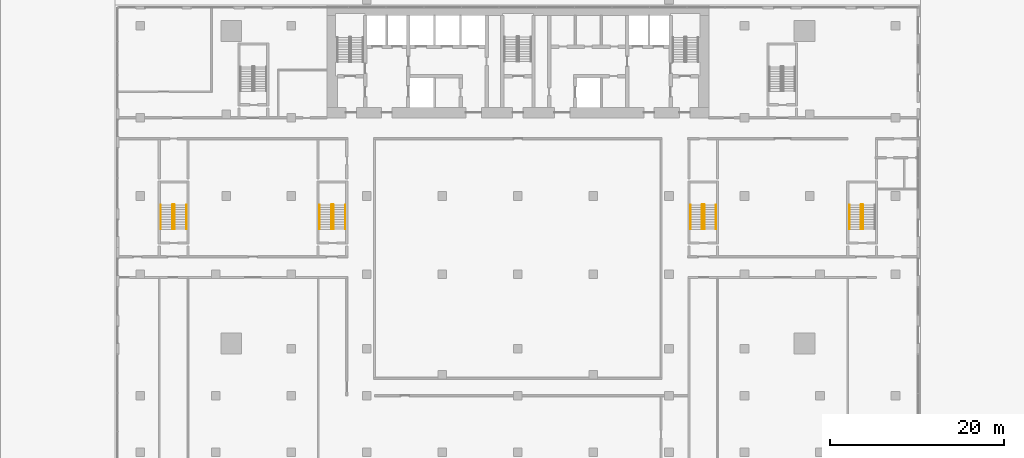
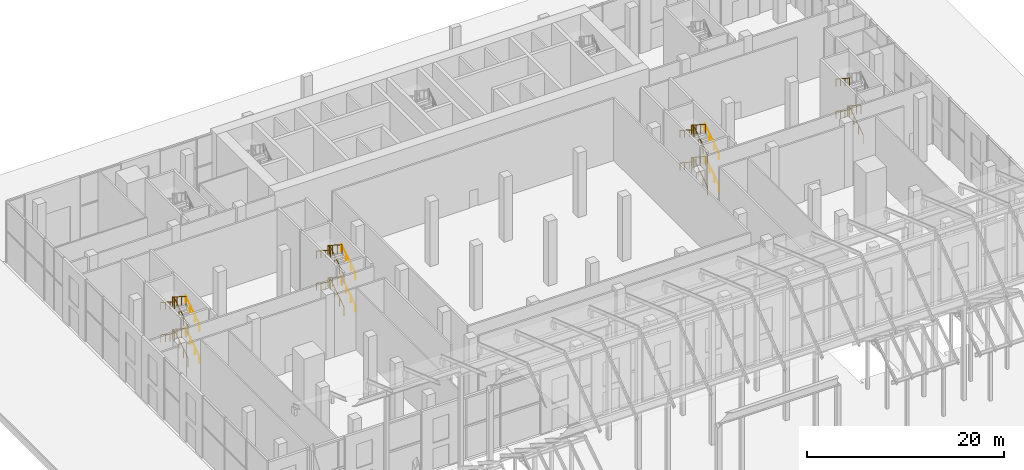
# One storey, part 29 of 31: 21 railings.
"""IFC4 building model written with IfcOpenShell, lengths in metres."""

from ifc_helpers import new_model, si_unit, direction, frame, origin, origin_2d, place, context, subcontext, project, spatial, circle, extrude, material, type_object, element, save


model = new_model("IFC4")

# Units and contexts
model_context = context("Model", 3, precision=1e-05, world=origin(), true_north=direction((0.0, 1.0)))
body_context = subcontext(model_context, "Body", "Model", "MODEL_VIEW")
ifc_project = project(units=[si_unit("LENGTHUNIT", "METRE"), si_unit("AREAUNIT", "SQUARE_METRE"), si_unit("VOLUMEUNIT", "CUBIC_METRE"), si_unit("PLANEANGLEUNIT", "RADIAN"), si_unit("MASSUNIT", "GRAM", prefix="KILO")], contexts=[model_context])

# Site, building, storey
site_placement = place(None, origin())
site = spatial("IfcSite", under=ifc_project, at=site_placement, CompositionType="ELEMENT")
building_placement = place(site_placement, origin())
building = spatial("IfcBuilding", under=site, at=building_placement, Name="Bicima Exchange Tower", CompositionType="ELEMENT")
storey_placement = place(building_placement, origin())
storey = spatial("IfcBuildingStorey", under=building, at=storey_placement, Name="L00", CompositionType="ELEMENT", Elevation=0.0)

# Railings
ifc_material = material(Name="Stainless steel", Category="steel")
railing_type_1 = type_object("IfcRailingType", Name="Stair guard 1100", PredefinedType="GUARDRAIL", material=ifc_material)
railing_1_placement = place(storey_placement, frame((-39.52490234375, -25.824951171875, 0.181884765625)))
element("IfcRailing", 1, at=railing_1_placement, inside=storey, type_object=railing_type_1, Name="L00 PS-W stair guard 1", PredefinedType="GUARDRAIL", context=body_context, shape_type="SweptSolid", body=[
    extrude(circle(Radius=0.02392578125, at=origin_2d()), frame((0.0, 0.0, 1.076171875), z_axis=(0.0, 0.838705829183, 0.544584733623), x_axis=(-1.0, 0.0, 0.0)), (0.0, 0.0, 1.0), 3.338623046875),
    extrude(circle(Radius=0.02392578125, at=origin_2d()), frame((0.0, 2.800048828125, 2.89404296875), z_axis=(-0.708833529934, 0.705375805398, 0.0), x_axis=(-0.705375805398, -0.708833529934, 0.0)), (0.0, 0.0, 1.0), 0.070556640625),
    extrude(circle(Radius=0.02392578125, at=origin_2d()), frame((-0.050048828125, 2.849853515625, 2.89404296875), z_axis=(-1.0, 0.0, 0.0), x_axis=(0.0, -1.0, 0.0)), (0.0, 0.0, 1.0), 0.150146484375),
    extrude(circle(Radius=0.02392578125, at=origin_2d()), frame((-0.2001953125, 2.849853515625, 2.89404296875), z_axis=(-0.255347949156, -0.255347949156, 0.932520696673), x_axis=(0.707106781187, -0.707106781187, 0.0)), (0.0, 0.0, 1.0), 0.195068359375),
    extrude(circle(Radius=0.02392578125, at=origin_2d()), frame((-0.25, 2.800048828125, 3.076171875), z_axis=(0.0, -0.838705829183, 0.544584733623), x_axis=(1.0, 0.0, 0.0)), (0.0, 0.0, 1.0), 3.338623046875),
    extrude(circle(Radius=0.02099609375, at=origin_2d()), origin(), (0.0, 0.0, 1.0), 1.052001953125),
    extrude(circle(Radius=0.02099609375, at=origin_2d()), frame((0.0, 0.933349609375, 0.60595703125)), (0.0, 0.0, 1.0), 1.052001953125),
    extrude(circle(Radius=0.02099609375, at=origin_2d()), frame((0.0, 1.86669921875, 1.212158203125)), (0.0, 0.0, 1.0), 1.052001953125),
    extrude(circle(Radius=0.02099609375, at=origin_2d()), frame((0.0, 2.800048828125, 1.818115234375)), (0.0, 0.0, 1.0), 1.052001953125),
    extrude(circle(Radius=0.02099609375, at=origin_2d()), frame((-0.050048828125, 2.849853515625, 1.818115234375)), (0.0, 0.0, 1.0), 1.052001953125),
    extrude(circle(Radius=0.02099609375, at=origin_2d()), frame((-0.2001953125, 2.849853515625, 1.818115234375)), (0.0, 0.0, 1.0), 1.052001953125),
    extrude(circle(Radius=0.02099609375, at=origin_2d()), frame((-0.25, 2.800048828125, 2.0)), (0.0, 0.0, 1.0), 1.052001953125),
    extrude(circle(Radius=0.02099609375, at=origin_2d()), frame((-0.25, 1.86669921875, 2.60595703125)), (0.0, 0.0, 1.0), 1.052001953125),
    extrude(circle(Radius=0.02099609375, at=origin_2d()), frame((-0.25, 0.933349609375, 3.212158203125)), (0.0, 0.0, 1.0), 1.052001953125),
    extrude(circle(Radius=0.02099609375, at=origin_2d()), frame((-0.25, 0.0, 3.818115234375)), (0.0, 0.0, 1.0), 1.052001953125),
])
railing_2_placement = place(storey_placement, frame((-39.52490234375, -25.824951171875, 4.181884765625)))
element("IfcRailing", 2, at=railing_2_placement, inside=storey, type_object=railing_type_1, Name="L00 PS-W stair guard 2", PredefinedType="GUARDRAIL", context=body_context, shape_type="SweptSolid", body=[
    extrude(circle(Radius=0.02392578125, at=origin_2d()), frame((0.0, 0.0, 1.076171875), z_axis=(0.0, 0.838705829183, 0.544584733623), x_axis=(-1.0, 0.0, 0.0)), (0.0, 0.0, 1.0), 3.338623046875),
    extrude(circle(Radius=0.02392578125, at=origin_2d()), frame((0.0, 2.800048828125, 2.89404296875), z_axis=(-0.708833529934, 0.705375805398, 0.0), x_axis=(-0.705375805398, -0.708833529934, 0.0)), (0.0, 0.0, 1.0), 0.070556640625),
    extrude(circle(Radius=0.02392578125, at=origin_2d()), frame((-0.050048828125, 2.849853515625, 2.89404296875), z_axis=(-1.0, 0.0, 0.0), x_axis=(0.0, -1.0, 0.0)), (0.0, 0.0, 1.0), 0.150146484375),
    extrude(circle(Radius=0.02392578125, at=origin_2d()), frame((-0.2001953125, 2.849853515625, 2.89404296875), z_axis=(-0.255347949156, -0.255347949156, 0.932520696673), x_axis=(0.707106781187, -0.707106781187, 0.0)), (0.0, 0.0, 1.0), 0.195068359375),
    extrude(circle(Radius=0.02392578125, at=origin_2d()), frame((-0.25, 2.800048828125, 3.076171875), z_axis=(0.0, -0.838705829183, 0.544584733623), x_axis=(1.0, 0.0, 0.0)), (0.0, 0.0, 1.0), 3.338623046875),
    extrude(circle(Radius=0.02099609375, at=origin_2d()), origin(), (0.0, 0.0, 1.0), 1.052001953125),
    extrude(circle(Radius=0.02099609375, at=origin_2d()), frame((0.0, 0.933349609375, 0.60595703125)), (0.0, 0.0, 1.0), 1.052001953125),
    extrude(circle(Radius=0.02099609375, at=origin_2d()), frame((0.0, 1.86669921875, 1.212158203125)), (0.0, 0.0, 1.0), 1.052001953125),
    extrude(circle(Radius=0.02099609375, at=origin_2d()), frame((0.0, 2.800048828125, 1.818115234375)), (0.0, 0.0, 1.0), 1.052001953125),
    extrude(circle(Radius=0.02099609375, at=origin_2d()), frame((-0.050048828125, 2.849853515625, 1.818115234375)), (0.0, 0.0, 1.0), 1.052001953125),
    extrude(circle(Radius=0.02099609375, at=origin_2d()), frame((-0.2001953125, 2.849853515625, 1.818115234375)), (0.0, 0.0, 1.0), 1.052001953125),
    extrude(circle(Radius=0.02099609375, at=origin_2d()), frame((-0.25, 2.800048828125, 2.0)), (0.0, 0.0, 1.0), 1.052001953125),
    extrude(circle(Radius=0.02099609375, at=origin_2d()), frame((-0.25, 1.86669921875, 2.60595703125)), (0.0, 0.0, 1.0), 1.052001953125),
    extrude(circle(Radius=0.02099609375, at=origin_2d()), frame((-0.25, 0.933349609375, 3.212158203125)), (0.0, 0.0, 1.0), 1.052001953125),
    extrude(circle(Radius=0.02099609375, at=origin_2d()), frame((-0.25, 0.0, 3.818115234375)), (0.0, 0.0, 1.0), 1.052001953125),
])
railing_3_placement = place(storey_placement, frame((-21.22509765625, -25.824951171875, 0.181884765625)))
element("IfcRailing", 3, at=railing_3_placement, inside=storey, type_object=railing_type_1, Name="L00 PS-WI stair guard 1", PredefinedType="GUARDRAIL", context=body_context, shape_type="SweptSolid", body=[
    extrude(circle(Radius=0.02392578125, at=origin_2d()), frame((0.0, 0.0, 1.076171875), z_axis=(0.0, 0.838705829183, 0.544584733623), x_axis=(-1.0, 0.0, 0.0)), (0.0, 0.0, 1.0), 3.338623046875),
    extrude(circle(Radius=0.02392578125, at=origin_2d()), frame((0.0, 2.800048828125, 2.89404296875), z_axis=(-0.707106781187, 0.707106781187, 0.0), x_axis=(-0.707106781187, -0.707106781187, 0.0)), (0.0, 0.0, 1.0), 0.0703125),
    extrude(circle(Radius=0.02392578125, at=origin_2d()), frame((-0.0498046875, 2.849853515625, 2.89404296875), z_axis=(-1.0, 0.0, 0.0), x_axis=(0.0, -1.0, 0.0)), (0.0, 0.0, 1.0), 0.150146484375),
    extrude(circle(Radius=0.02392578125, at=origin_2d()), frame((-0.199951171875, 2.849853515625, 2.89404296875), z_axis=(-0.256517478764, -0.25526617399, 0.932222056972), x_axis=(0.705375805398, -0.708833529934, 0.0)), (0.0, 0.0, 1.0), 0.195068359375),
    extrude(circle(Radius=0.02392578125, at=origin_2d()), frame((-0.25, 2.800048828125, 3.076171875), z_axis=(0.0, -0.838705829183, 0.544584733623), x_axis=(1.0, 0.0, 0.0)), (0.0, 0.0, 1.0), 3.338623046875),
    extrude(circle(Radius=0.02099609375, at=origin_2d()), origin(), (0.0, 0.0, 1.0), 1.052001953125),
    extrude(circle(Radius=0.02099609375, at=origin_2d()), frame((0.0, 0.933349609375, 0.60595703125)), (0.0, 0.0, 1.0), 1.052001953125),
    extrude(circle(Radius=0.02099609375, at=origin_2d()), frame((0.0, 1.86669921875, 1.212158203125)), (0.0, 0.0, 1.0), 1.052001953125),
    extrude(circle(Radius=0.02099609375, at=origin_2d()), frame((0.0, 2.800048828125, 1.818115234375)), (0.0, 0.0, 1.0), 1.052001953125),
    extrude(circle(Radius=0.02099609375, at=origin_2d()), frame((-0.0498046875, 2.849853515625, 1.818115234375)), (0.0, 0.0, 1.0), 1.052001953125),
    extrude(circle(Radius=0.02099609375, at=origin_2d()), frame((-0.199951171875, 2.849853515625, 1.818115234375)), (0.0, 0.0, 1.0), 1.052001953125),
    extrude(circle(Radius=0.02099609375, at=origin_2d()), frame((-0.25, 2.800048828125, 2.0)), (0.0, 0.0, 1.0), 1.052001953125),
    extrude(circle(Radius=0.02099609375, at=origin_2d()), frame((-0.25, 1.86669921875, 2.60595703125)), (0.0, 0.0, 1.0), 1.052001953125),
    extrude(circle(Radius=0.02099609375, at=origin_2d()), frame((-0.25, 0.933349609375, 3.212158203125)), (0.0, 0.0, 1.0), 1.052001953125),
    extrude(circle(Radius=0.02099609375, at=origin_2d()), frame((-0.25, 0.0, 3.818115234375)), (0.0, 0.0, 1.0), 1.052001953125),
])
railing_4_placement = place(storey_placement, frame((-21.22509765625, -25.824951171875, 4.181884765625)))
element("IfcRailing", 4, at=railing_4_placement, inside=storey, type_object=railing_type_1, Name="L00 PS-WI stair guard 2", PredefinedType="GUARDRAIL", context=body_context, shape_type="SweptSolid", body=[
    extrude(circle(Radius=0.02392578125, at=origin_2d()), frame((0.0, 0.0, 1.076171875), z_axis=(0.0, 0.838705829183, 0.544584733623), x_axis=(-1.0, 0.0, 0.0)), (0.0, 0.0, 1.0), 3.338623046875),
    extrude(circle(Radius=0.02392578125, at=origin_2d()), frame((0.0, 2.800048828125, 2.89404296875), z_axis=(-0.707106781187, 0.707106781187, 0.0), x_axis=(-0.707106781187, -0.707106781187, 0.0)), (0.0, 0.0, 1.0), 0.0703125),
    extrude(circle(Radius=0.02392578125, at=origin_2d()), frame((-0.0498046875, 2.849853515625, 2.89404296875), z_axis=(-1.0, 0.0, 0.0), x_axis=(0.0, -1.0, 0.0)), (0.0, 0.0, 1.0), 0.150146484375),
    extrude(circle(Radius=0.02392578125, at=origin_2d()), frame((-0.199951171875, 2.849853515625, 2.89404296875), z_axis=(-0.256517478764, -0.25526617399, 0.932222056972), x_axis=(0.705375805398, -0.708833529934, 0.0)), (0.0, 0.0, 1.0), 0.195068359375),
    extrude(circle(Radius=0.02392578125, at=origin_2d()), frame((-0.25, 2.800048828125, 3.076171875), z_axis=(0.0, -0.838705829183, 0.544584733623), x_axis=(1.0, 0.0, 0.0)), (0.0, 0.0, 1.0), 3.338623046875),
    extrude(circle(Radius=0.02099609375, at=origin_2d()), origin(), (0.0, 0.0, 1.0), 1.052001953125),
    extrude(circle(Radius=0.02099609375, at=origin_2d()), frame((0.0, 0.933349609375, 0.60595703125)), (0.0, 0.0, 1.0), 1.052001953125),
    extrude(circle(Radius=0.02099609375, at=origin_2d()), frame((0.0, 1.86669921875, 1.212158203125)), (0.0, 0.0, 1.0), 1.052001953125),
    extrude(circle(Radius=0.02099609375, at=origin_2d()), frame((0.0, 2.800048828125, 1.818115234375)), (0.0, 0.0, 1.0), 1.052001953125),
    extrude(circle(Radius=0.02099609375, at=origin_2d()), frame((-0.0498046875, 2.849853515625, 1.818115234375)), (0.0, 0.0, 1.0), 1.052001953125),
    extrude(circle(Radius=0.02099609375, at=origin_2d()), frame((-0.199951171875, 2.849853515625, 1.818115234375)), (0.0, 0.0, 1.0), 1.052001953125),
    extrude(circle(Radius=0.02099609375, at=origin_2d()), frame((-0.25, 2.800048828125, 2.0)), (0.0, 0.0, 1.0), 1.052001953125),
    extrude(circle(Radius=0.02099609375, at=origin_2d()), frame((-0.25, 1.86669921875, 2.60595703125)), (0.0, 0.0, 1.0), 1.052001953125),
    extrude(circle(Radius=0.02099609375, at=origin_2d()), frame((-0.25, 0.933349609375, 3.212158203125)), (0.0, 0.0, 1.0), 1.052001953125),
    extrude(circle(Radius=0.02099609375, at=origin_2d()), frame((-0.25, 0.0, 3.818115234375)), (0.0, 0.0, 1.0), 1.052001953125),
])
railing_5_placement = place(storey_placement, frame((21.47509765625, -25.824951171875, 0.181884765625)))
element("IfcRailing", 5, at=railing_5_placement, inside=storey, type_object=railing_type_1, Name="L00 PS-EI stair guard 1", PredefinedType="GUARDRAIL", context=body_context, shape_type="SweptSolid", body=[
    extrude(circle(Radius=0.02392578125, at=origin_2d()), frame((0.0, 0.0, 1.076171875), z_axis=(0.0, 0.838705829183, 0.544584733623), x_axis=(-1.0, 0.0, 0.0)), (0.0, 0.0, 1.0), 3.338623046875),
    extrude(circle(Radius=0.02392578125, at=origin_2d()), frame((0.0, 2.800048828125, 2.89404296875), z_axis=(-0.708833529934, 0.705375805398, 0.0), x_axis=(-0.705375805398, -0.708833529934, 0.0)), (0.0, 0.0, 1.0), 0.070556640625),
    extrude(circle(Radius=0.02392578125, at=origin_2d()), frame((-0.050048828125, 2.849853515625, 2.89404296875), z_axis=(-1.0, 0.0, 0.0), x_axis=(0.0, -1.0, 0.0)), (0.0, 0.0, 1.0), 0.150146484375),
    extrude(circle(Radius=0.02392578125, at=origin_2d()), frame((-0.2001953125, 2.849853515625, 2.89404296875), z_axis=(-0.255347949156, -0.255347949156, 0.932520696673), x_axis=(0.707106781187, -0.707106781187, 0.0)), (0.0, 0.0, 1.0), 0.195068359375),
    extrude(circle(Radius=0.02392578125, at=origin_2d()), frame((-0.25, 2.800048828125, 3.076171875), z_axis=(0.0, -0.838705829183, 0.544584733623), x_axis=(1.0, 0.0, 0.0)), (0.0, 0.0, 1.0), 3.338623046875),
    extrude(circle(Radius=0.02099609375, at=origin_2d()), origin(), (0.0, 0.0, 1.0), 1.052001953125),
    extrude(circle(Radius=0.02099609375, at=origin_2d()), frame((0.0, 0.933349609375, 0.60595703125)), (0.0, 0.0, 1.0), 1.052001953125),
    extrude(circle(Radius=0.02099609375, at=origin_2d()), frame((0.0, 1.86669921875, 1.212158203125)), (0.0, 0.0, 1.0), 1.052001953125),
    extrude(circle(Radius=0.02099609375, at=origin_2d()), frame((0.0, 2.800048828125, 1.818115234375)), (0.0, 0.0, 1.0), 1.052001953125),
    extrude(circle(Radius=0.02099609375, at=origin_2d()), frame((-0.050048828125, 2.849853515625, 1.818115234375)), (0.0, 0.0, 1.0), 1.052001953125),
    extrude(circle(Radius=0.02099609375, at=origin_2d()), frame((-0.2001953125, 2.849853515625, 1.818115234375)), (0.0, 0.0, 1.0), 1.052001953125),
    extrude(circle(Radius=0.02099609375, at=origin_2d()), frame((-0.25, 2.800048828125, 2.0)), (0.0, 0.0, 1.0), 1.052001953125),
    extrude(circle(Radius=0.02099609375, at=origin_2d()), frame((-0.25, 1.86669921875, 2.60595703125)), (0.0, 0.0, 1.0), 1.052001953125),
    extrude(circle(Radius=0.02099609375, at=origin_2d()), frame((-0.25, 0.933349609375, 3.212158203125)), (0.0, 0.0, 1.0), 1.052001953125),
    extrude(circle(Radius=0.02099609375, at=origin_2d()), frame((-0.25, 0.0, 3.818115234375)), (0.0, 0.0, 1.0), 1.052001953125),
])
railing_6_placement = place(storey_placement, frame((21.47509765625, -25.824951171875, 4.181884765625)))
element("IfcRailing", 6, at=railing_6_placement, inside=storey, type_object=railing_type_1, Name="L00 PS-EI stair guard 2", PredefinedType="GUARDRAIL", context=body_context, shape_type="SweptSolid", body=[
    extrude(circle(Radius=0.02392578125, at=origin_2d()), frame((0.0, 0.0, 1.076171875), z_axis=(0.0, 0.838705829183, 0.544584733623), x_axis=(-1.0, 0.0, 0.0)), (0.0, 0.0, 1.0), 3.338623046875),
    extrude(circle(Radius=0.02392578125, at=origin_2d()), frame((0.0, 2.800048828125, 2.89404296875), z_axis=(-0.708833529934, 0.705375805398, 0.0), x_axis=(-0.705375805398, -0.708833529934, 0.0)), (0.0, 0.0, 1.0), 0.070556640625),
    extrude(circle(Radius=0.02392578125, at=origin_2d()), frame((-0.050048828125, 2.849853515625, 2.89404296875), z_axis=(-1.0, 0.0, 0.0), x_axis=(0.0, -1.0, 0.0)), (0.0, 0.0, 1.0), 0.150146484375),
    extrude(circle(Radius=0.02392578125, at=origin_2d()), frame((-0.2001953125, 2.849853515625, 2.89404296875), z_axis=(-0.255347949156, -0.255347949156, 0.932520696673), x_axis=(0.707106781187, -0.707106781187, 0.0)), (0.0, 0.0, 1.0), 0.195068359375),
    extrude(circle(Radius=0.02392578125, at=origin_2d()), frame((-0.25, 2.800048828125, 3.076171875), z_axis=(0.0, -0.838705829183, 0.544584733623), x_axis=(1.0, 0.0, 0.0)), (0.0, 0.0, 1.0), 3.338623046875),
    extrude(circle(Radius=0.02099609375, at=origin_2d()), origin(), (0.0, 0.0, 1.0), 1.052001953125),
    extrude(circle(Radius=0.02099609375, at=origin_2d()), frame((0.0, 0.933349609375, 0.60595703125)), (0.0, 0.0, 1.0), 1.052001953125),
    extrude(circle(Radius=0.02099609375, at=origin_2d()), frame((0.0, 1.86669921875, 1.212158203125)), (0.0, 0.0, 1.0), 1.052001953125),
    extrude(circle(Radius=0.02099609375, at=origin_2d()), frame((0.0, 2.800048828125, 1.818115234375)), (0.0, 0.0, 1.0), 1.052001953125),
    extrude(circle(Radius=0.02099609375, at=origin_2d()), frame((-0.050048828125, 2.849853515625, 1.818115234375)), (0.0, 0.0, 1.0), 1.052001953125),
    extrude(circle(Radius=0.02099609375, at=origin_2d()), frame((-0.2001953125, 2.849853515625, 1.818115234375)), (0.0, 0.0, 1.0), 1.052001953125),
    extrude(circle(Radius=0.02099609375, at=origin_2d()), frame((-0.25, 2.800048828125, 2.0)), (0.0, 0.0, 1.0), 1.052001953125),
    extrude(circle(Radius=0.02099609375, at=origin_2d()), frame((-0.25, 1.86669921875, 2.60595703125)), (0.0, 0.0, 1.0), 1.052001953125),
    extrude(circle(Radius=0.02099609375, at=origin_2d()), frame((-0.25, 0.933349609375, 3.212158203125)), (0.0, 0.0, 1.0), 1.052001953125),
    extrude(circle(Radius=0.02099609375, at=origin_2d()), frame((-0.25, 0.0, 3.818115234375)), (0.0, 0.0, 1.0), 1.052001953125),
])
railing_7_placement = place(storey_placement, frame((39.77490234375, -25.824951171875, 0.181884765625)))
element("IfcRailing", 7, at=railing_7_placement, inside=storey, type_object=railing_type_1, Name="L00 PS-E stair guard 1", PredefinedType="GUARDRAIL", context=body_context, shape_type="SweptSolid", body=[
    extrude(circle(Radius=0.02392578125, at=origin_2d()), frame((0.0, 0.0, 1.076171875), z_axis=(0.0, 0.838705829183, 0.544584733623), x_axis=(-1.0, 0.0, 0.0)), (0.0, 0.0, 1.0), 3.338623046875),
    extrude(circle(Radius=0.02392578125, at=origin_2d()), frame((0.0, 2.800048828125, 2.89404296875), z_axis=(-0.707106781187, 0.707106781187, 0.0), x_axis=(-0.707106781187, -0.707106781187, 0.0)), (0.0, 0.0, 1.0), 0.0703125),
    extrude(circle(Radius=0.02392578125, at=origin_2d()), frame((-0.0498046875, 2.849853515625, 2.89404296875), z_axis=(-1.0, 0.0, 0.0), x_axis=(0.0, -1.0, 0.0)), (0.0, 0.0, 1.0), 0.150146484375),
    extrude(circle(Radius=0.02392578125, at=origin_2d()), frame((-0.199951171875, 2.849853515625, 2.89404296875), z_axis=(-0.256517478764, -0.25526617399, 0.932222056972), x_axis=(0.705375805398, -0.708833529934, 0.0)), (0.0, 0.0, 1.0), 0.195068359375),
    extrude(circle(Radius=0.02392578125, at=origin_2d()), frame((-0.25, 2.800048828125, 3.076171875), z_axis=(0.0, -0.838705829183, 0.544584733623), x_axis=(1.0, 0.0, 0.0)), (0.0, 0.0, 1.0), 3.338623046875),
    extrude(circle(Radius=0.02099609375, at=origin_2d()), origin(), (0.0, 0.0, 1.0), 1.052001953125),
    extrude(circle(Radius=0.02099609375, at=origin_2d()), frame((0.0, 0.933349609375, 0.60595703125)), (0.0, 0.0, 1.0), 1.052001953125),
    extrude(circle(Radius=0.02099609375, at=origin_2d()), frame((0.0, 1.86669921875, 1.212158203125)), (0.0, 0.0, 1.0), 1.052001953125),
    extrude(circle(Radius=0.02099609375, at=origin_2d()), frame((0.0, 2.800048828125, 1.818115234375)), (0.0, 0.0, 1.0), 1.052001953125),
    extrude(circle(Radius=0.02099609375, at=origin_2d()), frame((-0.0498046875, 2.849853515625, 1.818115234375)), (0.0, 0.0, 1.0), 1.052001953125),
    extrude(circle(Radius=0.02099609375, at=origin_2d()), frame((-0.199951171875, 2.849853515625, 1.818115234375)), (0.0, 0.0, 1.0), 1.052001953125),
    extrude(circle(Radius=0.02099609375, at=origin_2d()), frame((-0.25, 2.800048828125, 2.0)), (0.0, 0.0, 1.0), 1.052001953125),
    extrude(circle(Radius=0.02099609375, at=origin_2d()), frame((-0.25, 1.86669921875, 2.60595703125)), (0.0, 0.0, 1.0), 1.052001953125),
    extrude(circle(Radius=0.02099609375, at=origin_2d()), frame((-0.25, 0.933349609375, 3.212158203125)), (0.0, 0.0, 1.0), 1.052001953125),
    extrude(circle(Radius=0.02099609375, at=origin_2d()), frame((-0.25, 0.0, 3.818115234375)), (0.0, 0.0, 1.0), 1.052001953125),
])
railing_type_2 = type_object("IfcRailingType", Name="Stair handrail 900", PredefinedType="HANDRAIL", material=ifc_material)
railing_8_placement = place(storey_placement, frame((-38.175048828125, -25.824951171875, 0.181884765625)))
element("IfcRailing", 8, at=railing_8_placement, inside=storey, type_object=railing_type_2, Name="L00 PS-W stair handrail 1", PredefinedType="HANDRAIL", context=body_context, shape_type="SweptSolid", body=[
    extrude(circle(Radius=0.02392578125, at=origin_2d()), frame((0.0, 0.0, 0.8759765625), z_axis=(0.0, 0.838705829183, 0.544584733623), x_axis=(-1.0, 0.0, 0.0)), (0.0, 0.0, 1.0), 3.338623046875),
    extrude(circle(Radius=0.02099609375, at=origin_2d()), origin(), (0.0, 0.0, 1.0), 0.851806640625),
    extrude(circle(Radius=0.02099609375, at=origin_2d()), frame((0.0, 0.933349609375, 0.60595703125)), (0.0, 0.0, 1.0), 0.851806640625),
    extrude(circle(Radius=0.02099609375, at=origin_2d()), frame((0.0, 1.86669921875, 1.212158203125)), (0.0, 0.0, 1.0), 0.851806640625),
    extrude(circle(Radius=0.02099609375, at=origin_2d()), frame((0.0, 2.800048828125, 1.818115234375)), (0.0, 0.0, 1.0), 0.851806640625),
])
railing_9_placement = place(storey_placement, frame((-41.125, -23.02490234375, 2.181884765625)))
element("IfcRailing", 9, at=railing_9_placement, inside=storey, type_object=railing_type_2, Name="L00 PS-W stair handrail 2", PredefinedType="HANDRAIL", context=body_context, shape_type="SweptSolid", body=[
    extrude(circle(Radius=0.02392578125, at=origin_2d()), frame((0.0, 0.0, 0.8759765625), z_axis=(0.0, -0.838705829183, 0.544584733623), x_axis=(1.0, 0.0, 0.0)), (0.0, 0.0, 1.0), 3.338623046875),
    extrude(circle(Radius=0.02099609375, at=origin_2d()), origin(), (0.0, 0.0, 1.0), 0.851806640625),
    extrude(circle(Radius=0.02099609375, at=origin_2d()), frame((0.0, -0.933349609375, 0.60595703125)), (0.0, 0.0, 1.0), 0.851806640625),
    extrude(circle(Radius=0.02099609375, at=origin_2d()), frame((0.0, -1.86669921875, 1.212158203125)), (0.0, 0.0, 1.0), 0.851806640625),
    extrude(circle(Radius=0.02099609375, at=origin_2d()), frame((0.0, -2.800048828125, 1.818115234375)), (0.0, 0.0, 1.0), 0.851806640625),
])
railing_10_placement = place(storey_placement, frame((-38.175048828125, -25.824951171875, 4.181884765625)))
element("IfcRailing", 10, at=railing_10_placement, inside=storey, type_object=railing_type_2, Name="L00 PS-W stair handrail 3", PredefinedType="HANDRAIL", context=body_context, shape_type="SweptSolid", body=[
    extrude(circle(Radius=0.02392578125, at=origin_2d()), frame((0.0, 0.0, 0.8759765625), z_axis=(0.0, 0.838705829183, 0.544584733623), x_axis=(-1.0, 0.0, 0.0)), (0.0, 0.0, 1.0), 3.338623046875),
    extrude(circle(Radius=0.02099609375, at=origin_2d()), origin(), (0.0, 0.0, 1.0), 0.851806640625),
    extrude(circle(Radius=0.02099609375, at=origin_2d()), frame((0.0, 0.933349609375, 0.60595703125)), (0.0, 0.0, 1.0), 0.851806640625),
    extrude(circle(Radius=0.02099609375, at=origin_2d()), frame((0.0, 1.86669921875, 1.212158203125)), (0.0, 0.0, 1.0), 0.851806640625),
    extrude(circle(Radius=0.02099609375, at=origin_2d()), frame((0.0, 2.800048828125, 1.818115234375)), (0.0, 0.0, 1.0), 0.851806640625),
])
railing_11_placement = place(storey_placement, frame((-41.125, -23.02490234375, 6.181884765625)))
element("IfcRailing", 11, at=railing_11_placement, inside=storey, type_object=railing_type_2, Name="L00 PS-W stair handrail 4", PredefinedType="HANDRAIL", context=body_context, shape_type="SweptSolid", body=[
    extrude(circle(Radius=0.02392578125, at=origin_2d()), frame((0.0, 0.0, 0.8759765625), z_axis=(0.0, -0.838705829183, 0.544584733623), x_axis=(1.0, 0.0, 0.0)), (0.0, 0.0, 1.0), 3.338623046875),
    extrude(circle(Radius=0.02099609375, at=origin_2d()), origin(), (0.0, 0.0, 1.0), 0.851806640625),
    extrude(circle(Radius=0.02099609375, at=origin_2d()), frame((0.0, -0.933349609375, 0.60595703125)), (0.0, 0.0, 1.0), 0.851806640625),
    extrude(circle(Radius=0.02099609375, at=origin_2d()), frame((0.0, -1.86669921875, 1.212158203125)), (0.0, 0.0, 1.0), 0.851806640625),
    extrude(circle(Radius=0.02099609375, at=origin_2d()), frame((0.0, -2.800048828125, 1.818115234375)), (0.0, 0.0, 1.0), 0.851806640625),
])
railing_12_placement = place(storey_placement, frame((-19.875, -25.824951171875, 0.181884765625)))
element("IfcRailing", 12, at=railing_12_placement, inside=storey, type_object=railing_type_2, Name="L00 PS-WI stair handrail 1", PredefinedType="HANDRAIL", context=body_context, shape_type="SweptSolid", body=[
    extrude(circle(Radius=0.02392578125, at=origin_2d()), frame((0.0, 0.0, 0.8759765625), z_axis=(0.0, 0.838705829183, 0.544584733623), x_axis=(-1.0, 0.0, 0.0)), (0.0, 0.0, 1.0), 3.338623046875),
    extrude(circle(Radius=0.02099609375, at=origin_2d()), origin(), (0.0, 0.0, 1.0), 0.851806640625),
    extrude(circle(Radius=0.02099609375, at=origin_2d()), frame((0.0, 0.933349609375, 0.60595703125)), (0.0, 0.0, 1.0), 0.851806640625),
    extrude(circle(Radius=0.02099609375, at=origin_2d()), frame((0.0, 1.86669921875, 1.212158203125)), (0.0, 0.0, 1.0), 0.851806640625),
    extrude(circle(Radius=0.02099609375, at=origin_2d()), frame((0.0, 2.800048828125, 1.818115234375)), (0.0, 0.0, 1.0), 0.851806640625),
])
railing_13_placement = place(storey_placement, frame((-22.824951171875, -23.02490234375, 2.181884765625)))
element("IfcRailing", 13, at=railing_13_placement, inside=storey, type_object=railing_type_2, Name="L00 PS-WI stair handrail 2", PredefinedType="HANDRAIL", context=body_context, shape_type="SweptSolid", body=[
    extrude(circle(Radius=0.02392578125, at=origin_2d()), frame((0.0, 0.0, 0.8759765625), z_axis=(0.0, -0.838705829183, 0.544584733623), x_axis=(1.0, 0.0, 0.0)), (0.0, 0.0, 1.0), 3.338623046875),
    extrude(circle(Radius=0.02099609375, at=origin_2d()), origin(), (0.0, 0.0, 1.0), 0.851806640625),
    extrude(circle(Radius=0.02099609375, at=origin_2d()), frame((0.0, -0.933349609375, 0.60595703125)), (0.0, 0.0, 1.0), 0.851806640625),
    extrude(circle(Radius=0.02099609375, at=origin_2d()), frame((0.0, -1.86669921875, 1.212158203125)), (0.0, 0.0, 1.0), 0.851806640625),
    extrude(circle(Radius=0.02099609375, at=origin_2d()), frame((0.0, -2.800048828125, 1.818115234375)), (0.0, 0.0, 1.0), 0.851806640625),
])
railing_14_placement = place(storey_placement, frame((-19.875, -25.824951171875, 4.181884765625)))
element("IfcRailing", 14, at=railing_14_placement, inside=storey, type_object=railing_type_2, Name="L00 PS-WI stair handrail 3", PredefinedType="HANDRAIL", context=body_context, shape_type="SweptSolid", body=[
    extrude(circle(Radius=0.02392578125, at=origin_2d()), frame((0.0, 0.0, 0.8759765625), z_axis=(0.0, 0.838705829183, 0.544584733623), x_axis=(-1.0, 0.0, 0.0)), (0.0, 0.0, 1.0), 3.338623046875),
    extrude(circle(Radius=0.02099609375, at=origin_2d()), origin(), (0.0, 0.0, 1.0), 0.851806640625),
    extrude(circle(Radius=0.02099609375, at=origin_2d()), frame((0.0, 0.933349609375, 0.60595703125)), (0.0, 0.0, 1.0), 0.851806640625),
    extrude(circle(Radius=0.02099609375, at=origin_2d()), frame((0.0, 1.86669921875, 1.212158203125)), (0.0, 0.0, 1.0), 0.851806640625),
    extrude(circle(Radius=0.02099609375, at=origin_2d()), frame((0.0, 2.800048828125, 1.818115234375)), (0.0, 0.0, 1.0), 0.851806640625),
])
railing_15_placement = place(storey_placement, frame((-22.824951171875, -23.02490234375, 6.181884765625)))
element("IfcRailing", 15, at=railing_15_placement, inside=storey, type_object=railing_type_2, Name="L00 PS-WI stair handrail 4", PredefinedType="HANDRAIL", context=body_context, shape_type="SweptSolid", body=[
    extrude(circle(Radius=0.02392578125, at=origin_2d()), frame((0.0, 0.0, 0.8759765625), z_axis=(0.0, -0.838705829183, 0.544584733623), x_axis=(1.0, 0.0, 0.0)), (0.0, 0.0, 1.0), 3.338623046875),
    extrude(circle(Radius=0.02099609375, at=origin_2d()), origin(), (0.0, 0.0, 1.0), 0.851806640625),
    extrude(circle(Radius=0.02099609375, at=origin_2d()), frame((0.0, -0.933349609375, 0.60595703125)), (0.0, 0.0, 1.0), 0.851806640625),
    extrude(circle(Radius=0.02099609375, at=origin_2d()), frame((0.0, -1.86669921875, 1.212158203125)), (0.0, 0.0, 1.0), 0.851806640625),
    extrude(circle(Radius=0.02099609375, at=origin_2d()), frame((0.0, -2.800048828125, 1.818115234375)), (0.0, 0.0, 1.0), 0.851806640625),
])
railing_16_placement = place(storey_placement, frame((22.824951171875, -25.824951171875, 0.181884765625)))
element("IfcRailing", 16, at=railing_16_placement, inside=storey, type_object=railing_type_2, Name="L00 PS-EI stair handrail 1", PredefinedType="HANDRAIL", context=body_context, shape_type="SweptSolid", body=[
    extrude(circle(Radius=0.02392578125, at=origin_2d()), frame((0.0, 0.0, 0.8759765625), z_axis=(0.0, 0.838705829183, 0.544584733623), x_axis=(-1.0, 0.0, 0.0)), (0.0, 0.0, 1.0), 3.338623046875),
    extrude(circle(Radius=0.02099609375, at=origin_2d()), origin(), (0.0, 0.0, 1.0), 0.851806640625),
    extrude(circle(Radius=0.02099609375, at=origin_2d()), frame((0.0, 0.933349609375, 0.60595703125)), (0.0, 0.0, 1.0), 0.851806640625),
    extrude(circle(Radius=0.02099609375, at=origin_2d()), frame((0.0, 1.86669921875, 1.212158203125)), (0.0, 0.0, 1.0), 0.851806640625),
    extrude(circle(Radius=0.02099609375, at=origin_2d()), frame((0.0, 2.800048828125, 1.818115234375)), (0.0, 0.0, 1.0), 0.851806640625),
])
railing_17_placement = place(storey_placement, frame((19.875, -23.02490234375, 2.181884765625)))
element("IfcRailing", 17, at=railing_17_placement, inside=storey, type_object=railing_type_2, Name="L00 PS-EI stair handrail 2", PredefinedType="HANDRAIL", context=body_context, shape_type="SweptSolid", body=[
    extrude(circle(Radius=0.02392578125, at=origin_2d()), frame((0.0, 0.0, 0.8759765625), z_axis=(0.0, -0.838705829183, 0.544584733623), x_axis=(1.0, 0.0, 0.0)), (0.0, 0.0, 1.0), 3.338623046875),
    extrude(circle(Radius=0.02099609375, at=origin_2d()), origin(), (0.0, 0.0, 1.0), 0.851806640625),
    extrude(circle(Radius=0.02099609375, at=origin_2d()), frame((0.0, -0.933349609375, 0.60595703125)), (0.0, 0.0, 1.0), 0.851806640625),
    extrude(circle(Radius=0.02099609375, at=origin_2d()), frame((0.0, -1.86669921875, 1.212158203125)), (0.0, 0.0, 1.0), 0.851806640625),
    extrude(circle(Radius=0.02099609375, at=origin_2d()), frame((0.0, -2.800048828125, 1.818115234375)), (0.0, 0.0, 1.0), 0.851806640625),
])
railing_18_placement = place(storey_placement, frame((22.824951171875, -25.824951171875, 4.181884765625)))
element("IfcRailing", 18, at=railing_18_placement, inside=storey, type_object=railing_type_2, Name="L00 PS-EI stair handrail 3", PredefinedType="HANDRAIL", context=body_context, shape_type="SweptSolid", body=[
    extrude(circle(Radius=0.02392578125, at=origin_2d()), frame((0.0, 0.0, 0.8759765625), z_axis=(0.0, 0.838705829183, 0.544584733623), x_axis=(-1.0, 0.0, 0.0)), (0.0, 0.0, 1.0), 3.338623046875),
    extrude(circle(Radius=0.02099609375, at=origin_2d()), origin(), (0.0, 0.0, 1.0), 0.851806640625),
    extrude(circle(Radius=0.02099609375, at=origin_2d()), frame((0.0, 0.933349609375, 0.60595703125)), (0.0, 0.0, 1.0), 0.851806640625),
    extrude(circle(Radius=0.02099609375, at=origin_2d()), frame((0.0, 1.86669921875, 1.212158203125)), (0.0, 0.0, 1.0), 0.851806640625),
    extrude(circle(Radius=0.02099609375, at=origin_2d()), frame((0.0, 2.800048828125, 1.818115234375)), (0.0, 0.0, 1.0), 0.851806640625),
])
for number, where, name in (
    (19, (19.875, -23.02490234375, 6.181884765625), "L00 PS-EI stair handrail 4"),
    (20, (38.175048828125, -23.02490234375, 2.181884765625), "L00 PS-E stair handrail 2"),
    (21, (38.175048828125, -23.02490234375, 6.181884765625), "L00 PS-E stair handrail 4"),
):
    element("IfcRailing", number, at=place(storey_placement, frame(where)), inside=storey, type_object=railing_type_2, Name=name, PredefinedType="HANDRAIL", context=body_context, shape_type="SweptSolid", body=[
        extrude(circle(Radius=0.02392578125, at=origin_2d()), frame((0.0, 0.0, 0.8759765625), z_axis=(0.0, -0.838705829183, 0.544584733623), x_axis=(1.0, 0.0, 0.0)), (0.0, 0.0, 1.0), 3.338623046875),
        extrude(circle(Radius=0.02099609375, at=origin_2d()), origin(), (0.0, 0.0, 1.0), 0.851806640625),
        extrude(circle(Radius=0.02099609375, at=origin_2d()), frame((0.0, -0.933349609375, 0.60595703125)), (0.0, 0.0, 1.0), 0.851806640625),
        extrude(circle(Radius=0.02099609375, at=origin_2d()), frame((0.0, -1.86669921875, 1.212158203125)), (0.0, 0.0, 1.0), 0.851806640625),
        extrude(circle(Radius=0.02099609375, at=origin_2d()), frame((0.0, -2.800048828125, 1.818115234375)), (0.0, 0.0, 1.0), 0.851806640625),
    ])

save(model, "model.ifc")
